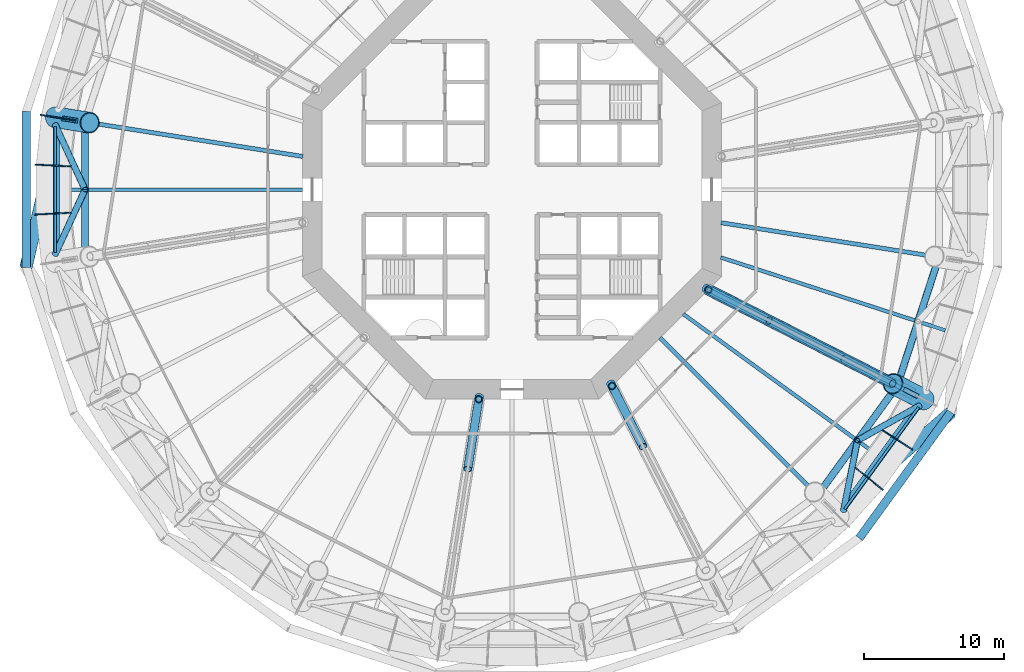
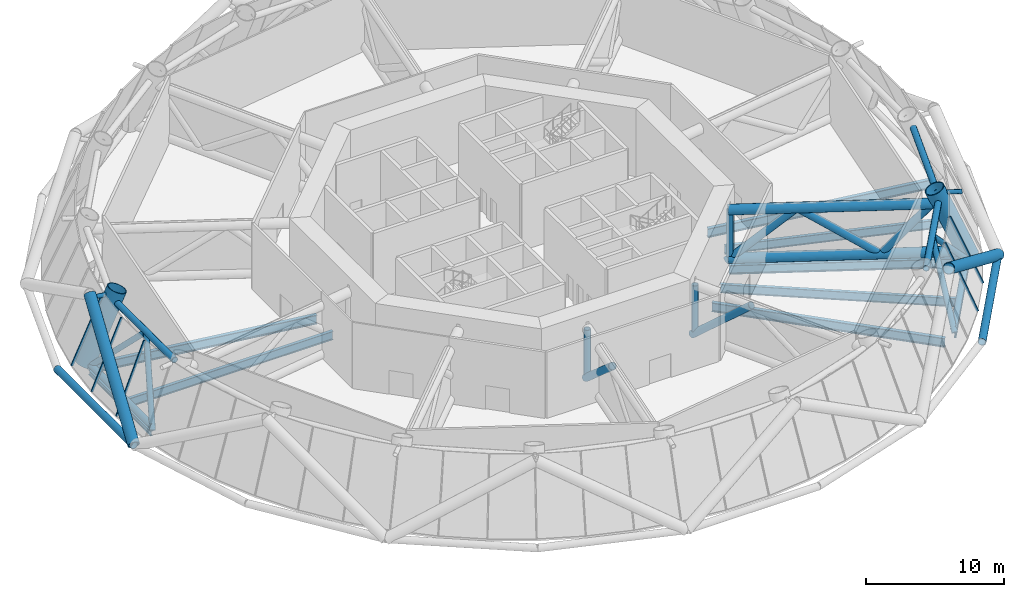
# One storey, part 3 of 14: 32 members, 9 beams, 2 elements without a shape of their own.
"""IFC4 building model written with IfcOpenShell, lengths in metres."""

from ifc_helpers import new_model, si_unit, direction, frame, origin, origin_2d, place, context, subcontext, project, spatial, rectangle, circle, hollow_circle, i_section, extrude, material, layer, layer_set, material_profile, profile_set, type_object, element, aggregate, save


model = new_model("IFC4")

# Units and contexts
model_context = context("Model", 3, precision=1e-05, world=origin(), true_north=direction((0.0, 1.0)))
body_context = subcontext(model_context, "Body", "Model", "MODEL_VIEW")
ifc_project = project(units=[si_unit("LENGTHUNIT", "METRE"), si_unit("AREAUNIT", "SQUARE_METRE"), si_unit("VOLUMEUNIT", "CUBIC_METRE"), si_unit("PLANEANGLEUNIT", "RADIAN"), si_unit("MASSUNIT", "GRAM", prefix="KILO")], contexts=[model_context])

# Site, building, storey
site_placement = place(None, origin())
site = spatial("IfcSite", under=ifc_project, at=site_placement, CompositionType="ELEMENT")
building_placement = place(site_placement, origin())
building = spatial("IfcBuilding", under=site, at=building_placement, Name="Entoto Ring Tower", CompositionType="ELEMENT")
storey_placement = place(building_placement, frame((0.0, 0.0, 74.0)))
storey = spatial("IfcBuildingStorey", under=building, at=storey_placement, Name="L16", CompositionType="ELEMENT", Elevation=74.0)

# Members
ifc_material_1 = material(Name="Steel S355", Category="steel")
ifc_material_profile_1 = material_profile(ifc_material_1, hollow_circle(Radius=0.449951171875, WallThickness=0.044921875, at=origin_2d()), Name="CHS 900 x 45")
ifc_material_2 = material(Name="Concrete C60/75", Category="concrete")
ifc_material_profile_2 = material_profile(ifc_material_2, circle(Radius=0.405029296875, at=origin_2d()), Name="Concrete C60/75 infill")
ifc_profile_set_1 = profile_set([ifc_material_profile_1, ifc_material_profile_2], Name="Steel S355")
member_type_1 = type_object("IfcMemberType", Name="Diagrid diagonal 900 x 45 concrete-filled tube", PredefinedType="BRACE", material=ifc_profile_set_1)
member_1_placement = place(storey_placement, frame((55.2333984375, 74.493408203125, 0.0), z_axis=(0.198381662974, 0.853390289962, 0.482047434175), x_axis=(-0.974028469181, 0.226425575464, 0.0)))
element("IfcMember", 1, at=member_1_placement, inside=storey, type_object=member_type_1, Name="DG2 module 5 11", PredefinedType="BRACE", context=body_context, shape_type="SweptSolid", body=[
    extrude(hollow_circle(Radius=0.449951171875, WallThickness=0.044921875, at=origin_2d()), origin(), (0.0, 0.0, 1.0), 12.447021484375),
])
member_2_placement = place(storey_placement, frame((121.363525390625, 64.01953125, 0.0), z_axis=(-0.662113366564, -0.573788432045, 0.482050542027), x_axis=(0.654902411499, -0.755713458536, 0.0)))
element("IfcMember", 2, at=member_2_placement, inside=storey, type_object=member_type_1, Name="DG2 module 5 19", PredefinedType="BRACE", context=body_context, shape_type="SweptSolid", body=[
    extrude(hollow_circle(Radius=0.449951171875, WallThickness=0.044921875, at=origin_2d()), origin(), (0.0, 0.0, 1.0), 12.44677734375),
])
ifc_material_3 = material(Name="Steel S355", Category="steel")
ifc_material_profile_3 = material_profile(ifc_material_3, hollow_circle(Radius=0.177734375, WallThickness=0.01611328125, at=origin_2d()), Name="CHS 355.6 x 16")
ifc_material_4 = material(Name="Concrete C60/75", Category="concrete")
ifc_material_profile_4 = material_profile(ifc_material_4, circle(Radius=0.161865234375, at=origin_2d()), Name="Concrete C60/75 infill")
ifc_profile_set_2 = profile_set([ifc_material_profile_3, ifc_material_profile_4], Name="Steel S355")
member_type_2 = type_object("IfcMemberType", Name="Diagrid node strut 355.6 x 16", PredefinedType="STRUT", material=ifc_profile_set_2)
for number, where, z_axis, x_axis, name in (
    (3, (58.9208984375, 84.92236328125, 5.672119140625), (-0.98766673662, 0.156570806263, 0.0), (-0.156570806263, -0.98766673662, 0.0), "DS1 strut ring 5 09"),
    (4, (118.036865234375, 65.71435546875, 5.672119140625), (0.891085517707, -0.453835432876, 0.0), (0.453835432876, 0.891085517707, 0.0), "DS1 strut ring 5 18"),
):
    element("IfcMember", number, at=place(storey_placement, frame(where, z_axis=z_axis, x_axis=x_axis)), inside=storey, type_object=member_type_2, Name=name, PredefinedType="STRUT", context=body_context, shape_type="SweptSolid", body=[
        extrude(hollow_circle(Radius=0.177734375, WallThickness=0.01611328125, at=origin_2d()), origin(), (0.0, 0.0, 1.0), 1.133544921875),
    ])
ifc_material_5 = material(Name="Steel S355", Category="steel")
ifc_material_profile_5 = material_profile(ifc_material_5, hollow_circle(Radius=0.300048828125, WallThickness=0.030029296875, at=origin_2d()), Name="CHS 600 x 30")
ifc_material_6 = material(Name="Concrete C60/75", Category="concrete")
ifc_material_profile_6 = material_profile(ifc_material_6, circle(Radius=0.27001953125, at=origin_2d()), Name="Concrete C60/75 infill")
ifc_profile_set_3 = profile_set([ifc_material_profile_5, ifc_material_profile_6], Name="Steel S355")
member_type_3 = type_object("IfcMemberType", Name="Diagrid ring beam 600 x 30", PredefinedType="CHORD", material=ifc_profile_set_3)
for number, where, z_axis, x_axis, name in (
    (5, (55.2333984375, 85.573974609375, 0.0), (0.0, -1.0, 0.0), (1.0, 0.0, 0.0), "DR1 ring 4 10"),
    (6, (114.8505859375, 55.05517578125, 0.0), (0.587771863556, 0.809026721692, 0.0), (-0.809026721692, 0.587771863556, 0.0), "DR1 ring 4 18"),
):
    element("IfcMember", number, at=place(storey_placement, frame(where, z_axis=z_axis, x_axis=x_axis)), inside=storey, type_object=member_type_3, Name=name, PredefinedType="CHORD", context=body_context, shape_type="SweptSolid", body=[
        extrude(hollow_circle(Radius=0.300048828125, WallThickness=0.030029296875, at=origin_2d()), origin(), (0.0, 0.0, 1.0), 11.14794921875),
    ])

# Beams
ifc_material_7 = material(Name="Steel S355", Category="steel")
ifc_material_profile_7 = material_profile(ifc_material_7, i_section(OverallWidth=0.179931640625, OverallDepth=0.39990234375, WebThickness=0.008544921875, FlangeThickness=0.013427734375, FilletRadius=0.02099609375, at=origin_2d()), Name="IPE 400")
ifc_profile_set_4 = profile_set([ifc_material_profile_7], Name="Steel S355")
beam_type_1 = type_object("IfcBeamType", Name="Edge beam IPE 400", PredefinedType="SPANDREL", material=ifc_profile_set_4)
for number, where, z_axis, x_axis, name in (
    (7, (57.3076171875, 84.50390625, -0.35009765625), (0.0, -1.0, 0.0), (1.0, 0.0, 0.0), "Edge beam L16 10"),
    (8, (113.801513671875, 57.14013671875, -0.35009765625), (0.587792917156, 0.80901142547, 0.0), (-0.80901142547, 0.587792917156, 0.0), "Edge beam L16 18"),
):
    element("IfcBeam", number, at=place(storey_placement, frame(where, z_axis=z_axis, x_axis=x_axis)), inside=storey, type_object=beam_type_1, Name=name, PredefinedType="SPANDREL", context=body_context, shape_type="SweptSolid", body=[
        extrude(i_section(OverallWidth=0.179931640625, OverallDepth=0.39990234375, WebThickness=0.008544921875, FlangeThickness=0.013427734375, FilletRadius=0.02099609375, at=origin_2d()), origin(), (0.0, 0.0, 1.0), 9.0078125),
    ])

# Curtain wall, members
ifc_material_8 = material(Name="Anodised aluminium", Category="aluminium")
ifc_layer = layer(ifc_material_8, 0.10009765625)
ifc_layer_set = layer_set([ifc_layer], Name="Anodised aluminium")
curtain_wall_type = type_object("IfcCurtainWallType", Name="Louvre curtain wall system CW7", PredefinedType="NOTDEFINED", material=ifc_layer_set)
curtain_wall_1_placement = place(storey_placement, origin())
curtain_wall_1 = element("IfcCurtainWall", 9, at=curtain_wall_1_placement, inside=storey, type_object=curtain_wall_type, Name="CW7 L16-10", PredefinedType="NOTDEFINED")
ifc_material_9 = material(Name="Anodised aluminium", Category="aluminium")
ifc_material_profile_8 = material_profile(ifc_material_9, rectangle(XDim=0.080078125, YDim=0.199951171875, at=origin_2d()), Name="Mullion 80 x 200 mm anodised aluminium")
ifc_profile_set_5 = profile_set([ifc_material_profile_8], Name="Anodised aluminium")
member_type_4 = type_object("IfcMemberType", Name="Mullion 80 x 200 mm anodised aluminium", PredefinedType="MULLION", material=ifc_profile_set_5)
member_3_placement = place(storey_placement, frame((56.327392578125, 85.333251953125, 0.03857421875), z_axis=(0.379907115901, -0.060155863708, 0.923066549794), x_axis=(0.15639512268, 0.98769457101, 0.0)))
member_3 = element("IfcMember", 10, at=member_3_placement, type_object=member_type_4, Name="MULLION L16-27", PredefinedType="MULLION", context=body_context, shape_type="SweptSolid", body=[
    extrude(rectangle(XDim=0.080078125, YDim=0.199951171875, at=origin_2d()), origin(), (0.0, 0.0, 1.0), 6.254150390625),
])
member_4_placement = place(storey_placement, frame((55.954345703125, 81.7841796875, 0.03857421875), z_axis=(0.384088559131, -0.020104239044, 0.923077352293), x_axis=(0.052271161513, 0.998632928395, 0.0)))
member_4 = element("IfcMember", 11, at=member_4_placement, type_object=member_type_4, Name="MULLION L16-28", PredefinedType="MULLION", context=body_context, shape_type="SweptSolid", body=[
    extrude(rectangle(XDim=0.080078125, YDim=0.199951171875, at=origin_2d()), origin(), (0.0, 0.0, 1.0), 6.25390625),
])
member_5_placement = place(storey_placement, frame((55.954345703125, 78.2158203125, 0.03857421875), z_axis=(0.384088559131, 0.020104239044, 0.923077352293), x_axis=(-0.052271161513, 0.998632928395, 0.0)))
member_5 = element("IfcMember", 12, at=member_5_placement, type_object=member_type_4, Name="MULLION L16-29", PredefinedType="MULLION", context=body_context, shape_type="SweptSolid", body=[
    extrude(rectangle(XDim=0.080078125, YDim=0.199951171875, at=origin_2d()), origin(), (0.0, 0.0, 1.0), 6.25390625),
])
aggregate(curtain_wall_1, [member_3, member_4, member_5])

curtain_wall_2_placement = place(storey_placement, origin())
curtain_wall_2 = element("IfcCurtainWall", 13, at=curtain_wall_2_placement, inside=storey, type_object=curtain_wall_type, Name="CW7 L16-18", PredefinedType="NOTDEFINED")
member_6_placement = place(storey_placement, frame((116.49462890625, 58.544921875, 0.03857421875), z_axis=(-0.298906561936, 0.24206864184, 0.923069683106), x_axis=(-0.629350037127, -0.777121953601, 0.0)))
member_6 = element("IfcMember", 14, at=member_6_placement, type_object=member_type_4, Name="MULLION L16-52", PredefinedType="MULLION", context=body_context, shape_type="SweptSolid", body=[
    extrude(rectangle(XDim=0.080078125, YDim=0.199951171875, at=origin_2d()), origin(), (0.0, 0.0, 1.0), 6.254150390625),
])
member_7_placement = place(storey_placement, frame((118.59228515625, 61.431884765625, 0.03857421875), z_axis=(-0.322563051143, 0.20951178694, 0.923069818145), x_axis=(-0.544706497232, -0.838626753611, 0.0)))
member_7 = element("IfcMember", 15, at=member_7_placement, type_object=member_type_4, Name="MULLION L16-53", PredefinedType="MULLION", context=body_context, shape_type="SweptSolid", body=[
    extrude(rectangle(XDim=0.080078125, YDim=0.199951171875, at=origin_2d()), origin(), (0.0, 0.0, 1.0), 6.254150390625),
])
aggregate(curtain_wall_2, [member_6, member_7])

# Members
ifc_material_10 = material(Name="Steel S355", Category="steel")
ifc_material_profile_9 = material_profile(ifc_material_10, hollow_circle(Radius=0.406494140625, WallThickness=0.044921875, at=origin_2d()), Name="CHS 813 x 45")
ifc_material_11 = material(Name="Concrete C60/75", Category="concrete")
ifc_material_profile_10 = material_profile(ifc_material_11, circle(Radius=0.361572265625, at=origin_2d()), Name="Concrete C60/75 infill")
ifc_profile_set_6 = profile_set([ifc_material_profile_9, ifc_material_profile_10], Name="Steel S355")
member_type_5 = type_object("IfcMemberType", Name="Outrigger chord 813 x 45", PredefinedType="CHORD", material=ifc_profile_set_6)
member_8_placement = place(storey_placement, frame((103.91748046875, 72.90869140625, 0.406494140625), z_axis=(0.891005024921, -0.453993442205, 0.0), x_axis=(0.453993442205, 0.891005024921, 0.0)))
element("IfcMember", 16, at=member_8_placement, inside=storey, type_object=member_type_5, Name="OR1A L16 bottom 10", PredefinedType="CHORD", context=body_context, shape_type="SweptSolid", body=[
    extrude(hollow_circle(Radius=0.406494140625, WallThickness=0.044921875, at=origin_2d()), origin(), (0.0, 0.0, 1.0), 16.64794921875),
])
member_9_placement = place(storey_placement, frame((103.91748046875, 72.90869140625, 4.6904296875), z_axis=(0.891007779718, -0.453988035615, 0.0), x_axis=(0.453988035615, 0.891007779718, 0.0)))
element("IfcMember", 17, at=member_9_placement, inside=storey, type_object=member_type_5, Name="OR1A L16 top 10", PredefinedType="CHORD", context=body_context, shape_type="SweptSolid", body=[
    extrude(hollow_circle(Radius=0.406494140625, WallThickness=0.044921875, at=origin_2d()), origin(), (0.0, 0.0, 1.0), 14.86279296875),
])
ifc_material_12 = material(Name="Steel S355", Category="steel")
ifc_material_profile_11 = material_profile(ifc_material_12, hollow_circle(Radius=0.304931640625, WallThickness=0.035888671875, at=origin_2d()), Name="CHS 610 x 36")
ifc_material_13 = material(Name="Concrete C60/75", Category="concrete")
ifc_material_profile_12 = material_profile(ifc_material_13, circle(Radius=0.26904296875, at=origin_2d()), Name="Concrete C60/75 infill")
ifc_profile_set_7 = profile_set([ifc_material_profile_11, ifc_material_profile_12], Name="Steel S355")
member_type_6 = type_object("IfcMemberType", Name="Outrigger diagonal 610 x 36", PredefinedType="BRACE", material=ifc_profile_set_7)
member_10_placement = place(storey_placement, frame((87.658447265625, 65.21533203125, 0.222412109375), z_axis=(-0.119487031561, -0.754411774533, 0.645434523198), x_axis=(0.987688351746, -0.156434394639, 0.0)))
element("IfcMember", 18, at=member_10_placement, inside=storey, type_object=member_type_6, Name="OR2A L16 08 1", PredefinedType="BRACE", context=body_context, shape_type="SweptSolid", body=[
    extrude(hollow_circle(Radius=0.304931640625, WallThickness=0.035888671875, at=origin_2d()), origin(), (0.0, 0.0, 1.0), 6.922607421875),
])
for number, where, z_axis, x_axis, name in (
    (19, (97.0517578125, 66.159912109375, 0.196533203125), (0.341021799872, -0.669276351795, 0.660131272505), (0.891001965104, 0.453999447335, 0.0), "OR2A L16 09 1"),
    (20, (103.840087890625, 72.9482421875, 0.196533203125), (0.669276351795, -0.341021799872, 0.660131272505), (0.453999447335, 0.891001965104, 0.0), "OR2A L16 10 1"),
):
    element("IfcMember", number, at=place(storey_placement, frame(where, z_axis=z_axis, x_axis=x_axis)), inside=storey, type_object=member_type_6, Name=name, PredefinedType="BRACE", context=body_context, shape_type="SweptSolid", body=[
        extrude(hollow_circle(Radius=0.304931640625, WallThickness=0.035888671875, at=origin_2d()), origin(), (0.0, 0.0, 1.0), 6.8076171875),
    ])
member_11_placement = place(storey_placement, frame((108.396240234375, 70.626708984375, 4.6904296875), z_axis=(0.727753093913, -0.370797977683, -0.576961258704), x_axis=(0.453980056066, 0.891011845429, 0.0)))
element("IfcMember", 21, at=member_11_placement, inside=storey, type_object=member_type_6, Name="OR2A L16 10 2", PredefinedType="BRACE", context=body_context, shape_type="SweptSolid", body=[
    extrude(hollow_circle(Radius=0.304931640625, WallThickness=0.035888671875, at=origin_2d()), origin(), (0.0, 0.0, 1.0), 7.425048828125),
])
member_12_placement = place(storey_placement, frame((113.7998046875, 67.87353515625, 0.406494140625), z_axis=(0.580984805325, -0.296051080814, 0.758162524483), x_axis=(0.454020373057, 0.890991302342, 0.0)))
element("IfcMember", 22, at=member_12_placement, inside=storey, type_object=member_type_6, Name="OR2A L16 10 3", PredefinedType="BRACE", context=body_context, shape_type="SweptSolid", body=[
    extrude(hollow_circle(Radius=0.304931640625, WallThickness=0.035888671875, at=origin_2d()), origin(), (0.0, 0.0, 1.0), 5.92919921875),
])
ifc_material_14 = material(Name="Steel S355", Category="steel")
ifc_material_profile_13 = material_profile(ifc_material_14, hollow_circle(Radius=0.25390625, WallThickness=0.030029296875, at=origin_2d()), Name="CHS 508 x 30")
ifc_material_15 = material(Name="Concrete C60/75", Category="concrete")
ifc_material_profile_14 = material_profile(ifc_material_15, circle(Radius=0.22412109375, at=origin_2d()), Name="Concrete C60/75 infill")
ifc_profile_set_8 = profile_set([ifc_material_profile_13, ifc_material_profile_14], Name="Steel S355")
member_type_7 = type_object("IfcMemberType", Name="Outrigger post 508 x 30", PredefinedType="POST", material=ifc_profile_set_8)
for number, where, z_axis, x_axis, name in (
    (23, (87.624267578125, 65.0, 0.406494140625), (0.0, 0.0, 1.0), (1.0, 0.0, 0.0), "OR3 L16 08"),
    (24, (97.160400390625, 65.947021484375, 0.406494140625), (0.0, 0.0, 1.0), (1.0, 0.0, 0.0), "OR3 L16 09"),
    (25, (104.052978515625, 72.839599609375, 0.406494140625), (0.0, 0.0, 1.0), (1.0, 0.0, 0.0), "OR3 L16 10"),
):
    element("IfcMember", number, at=place(storey_placement, frame(where, z_axis=z_axis, x_axis=x_axis)), inside=storey, type_object=member_type_7, Name=name, PredefinedType="POST", context=body_context, shape_type="SweptSolid", body=[
        extrude(hollow_circle(Radius=0.25390625, WallThickness=0.030029296875, at=origin_2d()), origin(), (0.0, 0.0, 1.0), 4.283935546875),
    ])

# Beams
ifc_material_16 = material(Name="Steel S355", Category="steel")
ifc_material_profile_15 = material_profile(ifc_material_16, i_section(OverallWidth=0.300048828125, OverallDepth=0.800048828125, WebThickness=0.017578125, FlangeThickness=0.032958984375, FilletRadius=0.030029296875, at=origin_2d()), Name="HE 800 B")
ifc_profile_set_9 = profile_set([ifc_material_profile_15], Name="Steel S355")
beam_type_2 = type_object("IfcBeamType", Name="Primary floor beam HE 800 B", PredefinedType="BEAM", material=ifc_profile_set_9)
beam_1_placement = place(storey_placement, frame((75.043212890625, 82.368896484375, -0.550048828125), z_axis=(-0.98768775999, 0.156438130794, 0.0), x_axis=(-0.156438130794, -0.98768775999, 0.0)))
element("IfcBeam", 26, at=beam_1_placement, inside=storey, type_object=beam_type_2, Name="Primary L16 R10", PredefinedType="BEAM", context=body_context, shape_type="SweptSolid", body=[
    extrude(i_section(OverallWidth=0.300048828125, OverallDepth=0.800048828125, WebThickness=0.017578125, FlangeThickness=0.032958984375, FilletRadius=0.030029296875, at=origin_2d()), origin(), (0.0, 0.0, 1.0), 17.293212890625),
])
beam_2_placement = place(storey_placement, frame((100.592529296875, 69.407470703125, -0.550048828125), z_axis=(0.707106781187, -0.707106781187, 0.0), x_axis=(0.707106781187, 0.707106781187, 0.0)))
element("IfcBeam", 27, at=beam_2_placement, inside=storey, type_object=beam_type_2, Name="Primary L16 R18", PredefinedType="BEAM", context=body_context, shape_type="SweptSolid", body=[
    extrude(i_section(OverallWidth=0.300048828125, OverallDepth=0.800048828125, WebThickness=0.017578125, FlangeThickness=0.032958984375, FilletRadius=0.030029296875, at=origin_2d()), origin(), (0.0, 0.0, 1.0), 17.456298828125),
])
beam_3_placement = place(storey_placement, frame((103.99169921875, 72.870849609375, -0.550048828125), z_axis=(0.891007761657, -0.453988071063, 0.0), x_axis=(0.453988071063, 0.891007761657, 0.0)))
element("IfcBeam", 28, at=beam_3_placement, inside=storey, type_object=beam_type_2, Name="Primary L16 R19", PredefinedType="BEAM", context=body_context, shape_type="SweptSolid", body=[
    extrude(i_section(OverallWidth=0.300048828125, OverallDepth=0.800048828125, WebThickness=0.017578125, FlangeThickness=0.032958984375, FilletRadius=0.030029296875, at=origin_2d()), origin(), (0.0, 0.0, 1.0), 16.733154296875),
])
beam_4_placement = place(storey_placement, frame((104.956787109375, 77.631103515625, -0.550048828125), z_axis=(0.98768775999, -0.156438130794, 0.0), x_axis=(0.156438130794, 0.98768775999, 0.0)))
element("IfcBeam", 29, at=beam_4_placement, inside=storey, type_object=beam_type_2, Name="Primary L16 R20", PredefinedType="BEAM", context=body_context, shape_type="SweptSolid", body=[
    extrude(i_section(OverallWidth=0.300048828125, OverallDepth=0.800048828125, WebThickness=0.017578125, FlangeThickness=0.032958984375, FilletRadius=0.030029296875, at=origin_2d()), origin(), (0.0, 0.0, 1.0), 17.293212890625),
])

# Members
ifc_material_17 = material(Name="Steel S355", Category="steel")
ifc_material_profile_16 = material_profile(ifc_material_17, hollow_circle(Radius=0.75, WallThickness=0.06494140625, at=origin_2d()), Name="CHS 1500 x 65")
ifc_material_18 = material(Name="Concrete C60/75", Category="concrete")
ifc_material_profile_17 = material_profile(ifc_material_18, circle(Radius=0.68505859375, at=origin_2d()), Name="Concrete C60/75 infill")
ifc_profile_set_10 = profile_set([ifc_material_profile_16, ifc_material_profile_17], Name="Steel S355")
member_type_8 = type_object("IfcMemberType", Name="Ring column jog 1500 x 65 concrete-filled tube", PredefinedType="STRUT", material=ifc_profile_set_10)
for number, where, z_axis, x_axis, name in (
    (30, (57.3076171875, 85.177978515625, 0.0), (0.37988233017, -0.06017119764, 0.923075751062), (0.156443969736, 0.987686835152, 0.0), "RJ1B R10"),
    (31, (119.492431640625, 64.972900390625, 0.0), (-0.342697597672, 0.174616520339, 0.923074984698), (-0.453997461601, -0.891002976909, 0.0), "RJ1B R19"),
):
    element("IfcMember", number, at=place(storey_placement, frame(where, z_axis=z_axis, x_axis=x_axis)), inside=storey, type_object=member_type_8, Name=name, PredefinedType="STRUT", context=body_context, shape_type="SweptSolid", body=[
        extrude(hollow_circle(Radius=0.75, WallThickness=0.06494140625, at=origin_2d()), origin(), (0.0, 0.0, 1.0), 6.5),
    ])
ifc_material_19 = material(Name="Steel S355", Category="steel")
ifc_material_profile_18 = material_profile(ifc_material_19, hollow_circle(Radius=0.25390625, WallThickness=0.030029296875, at=origin_2d()), Name="CHS 508 x 30")
ifc_material_20 = material(Name="Concrete C60/75", Category="concrete")
ifc_material_profile_19 = material_profile(ifc_material_20, circle(Radius=0.22412109375, at=origin_2d()), Name="Concrete C60/75 infill")
ifc_profile_set_11 = profile_set([ifc_material_profile_18, ifc_material_profile_19], Name="Steel S355")
member_type_9 = type_object("IfcMemberType", Name="Ring truss chord 508 x 30", PredefinedType="CHORD", material=ifc_profile_set_11)
member_13_placement = place(storey_placement, frame((57.412109375, 84.473876953125, 0.25390625), z_axis=(0.0, -1.0, 0.0), x_axis=(1.0, 0.0, 0.0)))
element("IfcMember", 32, at=member_13_placement, inside=storey, type_object=member_type_9, Name="BT1 L16 bottom 10", PredefinedType="CHORD", context=body_context, shape_type="SweptSolid", body=[
    extrude(hollow_circle(Radius=0.25390625, WallThickness=0.030029296875, at=origin_2d()), origin(), (0.0, 0.0, 1.0), 8.94775390625),
])
member_14_placement = place(storey_placement, frame((59.44580078125, 84.151611328125, 5.196044921875), z_axis=(0.0, -1.0, 0.0), x_axis=(1.0, 0.0, 0.0)))
element("IfcMember", 33, at=member_14_placement, inside=storey, type_object=member_type_9, Name="BT1 L16 top 10", PredefinedType="CHORD", context=body_context, shape_type="SweptSolid", body=[
    extrude(hollow_circle(Radius=0.25390625, WallThickness=0.030029296875, at=origin_2d()), origin(), (0.0, 0.0, 1.0), 8.30322265625),
])
member_15_placement = place(storey_placement, frame((113.734619140625, 57.225830078125, 0.25390625), z_axis=(0.58778550311, 0.809016812145, 0.0), x_axis=(-0.809016812145, 0.58778550311, 0.0)))
element("IfcMember", 34, at=member_15_placement, inside=storey, type_object=member_type_9, Name="BT1 L16 bottom 18", PredefinedType="CHORD", context=body_context, shape_type="SweptSolid", body=[
    extrude(hollow_circle(Radius=0.25390625, WallThickness=0.030029296875, at=origin_2d()), origin(), (0.0, 0.0, 1.0), 8.947509765625),
])
member_16_placement = place(storey_placement, frame((112.278564453125, 58.681884765625, 5.196044921875), z_axis=(0.587788761329, 0.809014444899, 0.0), x_axis=(-0.809014444899, 0.587788761329, 0.0)))
element("IfcMember", 35, at=member_16_placement, inside=storey, type_object=member_type_9, Name="BT1 L16 top 18", PredefinedType="CHORD", context=body_context, shape_type="SweptSolid", body=[
    extrude(hollow_circle(Radius=0.25390625, WallThickness=0.030029296875, at=origin_2d()), origin(), (0.0, 0.0, 1.0), 8.303466796875),
])
member_17_placement = place(storey_placement, frame((117.77587890625, 66.60986328125, 5.196044921875), z_axis=(0.309002963044, 0.951061075236, 0.0), x_axis=(-0.951061075236, 0.309002963044, 0.0)))
element("IfcMember", 36, at=member_17_placement, inside=storey, type_object=member_type_9, Name="BT1 L16 top 19", PredefinedType="CHORD", context=body_context, shape_type="SweptSolid", body=[
    extrude(hollow_circle(Radius=0.25390625, WallThickness=0.030029296875, at=origin_2d()), origin(), (0.0, 0.0, 1.0), 8.302978515625),
])
ifc_material_21 = material(Name="Steel S355", Category="steel")
ifc_material_profile_20 = material_profile(ifc_material_21, hollow_circle(Radius=0.228515625, WallThickness=0.02001953125, at=origin_2d()), Name="CHS 457 x 20")
ifc_material_22 = material(Name="Concrete C60/75", Category="concrete")
ifc_material_profile_21 = material_profile(ifc_material_22, circle(Radius=0.20849609375, at=origin_2d()), Name="Concrete C60/75 infill")
ifc_profile_set_12 = profile_set([ifc_material_profile_20, ifc_material_profile_21], Name="Steel S355")
member_type_10 = type_object("IfcMemberType", Name="Ring truss diagonal 457 x 20", PredefinedType="BRACE", material=ifc_profile_set_12)
for number, where, z_axis, x_axis, name in (
    (37, (57.31591796875, 84.6201171875, 0.020263671875), (0.293475327554, -0.636603289619, 0.713167921154), (0.908144697219, 0.418656433024, 0.0), "BT2 L16 10 a"),
    (38, (59.44580078125, 80.0, 5.196044921875), (-0.293475327554, -0.636603289619, -0.713167921154), (0.908144697219, -0.418656433024, 0.0), "BT2 L16 10 b"),
    (39, (113.726318359375, 57.051025390625, 0.020263671875), (0.13674580209, 0.687530308268, 0.713163838696), (-0.980788686524, 0.19507319751, 0.0), "BT2 L16 18 a"),
    (40, (114.71875, 62.040771484375, 5.196044921875), (0.611631235609, 0.342516183091, -0.713154889171), (-0.488606291418, 0.872504379351, 0.0), "BT2 L16 18 b"),
):
    element("IfcMember", number, at=place(storey_placement, frame(where, z_axis=z_axis, x_axis=x_axis)), inside=storey, type_object=member_type_10, Name=name, PredefinedType="BRACE", context=body_context, shape_type="SweptSolid", body=[
        extrude(hollow_circle(Radius=0.228515625, WallThickness=0.02001953125, at=origin_2d()), origin(), (0.0, 0.0, 1.0), 7.257568359375),
    ])

# Beams
ifc_material_23 = material(Name="Steel S355", Category="steel")
ifc_material_profile_22 = material_profile(ifc_material_23, i_section(OverallWidth=0.262939453125, OverallDepth=0.7529296875, WebThickness=0.011474609375, FlangeThickness=0.01708984375, FilletRadius=0.01708984375, at=origin_2d()), Name="IPE 750 x 137")
ifc_profile_set_13 = profile_set([ifc_material_profile_22], Name="Steel S355")
beam_type_3 = type_object("IfcBeamType", Name="Secondary floor beam IPE 750 x 137", PredefinedType="JOIST", material=ifc_profile_set_13)
beam_5_placement = place(storey_placement, frame((75.02001953125, 80.0, -0.526611328125), z_axis=(-1.0, 0.0, 0.0), x_axis=(0.0, -1.0, 0.0)))
element("IfcBeam", 41, at=beam_5_placement, inside=storey, type_object=beam_type_3, Name="Secondary beam L16 10", PredefinedType="JOIST", context=body_context, shape_type="SweptSolid", body=[
    extrude(i_section(OverallWidth=0.262939453125, OverallDepth=0.7529296875, WebThickness=0.011474609375, FlangeThickness=0.01708984375, FilletRadius=0.01708984375, at=origin_2d()), origin(), (0.0, 0.0, 1.0), 17.62255859375),
])
beam_6_placement = place(storey_placement, frame((102.25341796875, 71.097412109375, -0.526611328125), z_axis=(0.809014194973, -0.58778910532, 0.0), x_axis=(0.58778910532, 0.809014194973, 0.0)))
element("IfcBeam", 42, at=beam_6_placement, inside=storey, type_object=beam_type_3, Name="Secondary beam L16 18", PredefinedType="JOIST", context=body_context, shape_type="SweptSolid", body=[
    extrude(i_section(OverallWidth=0.262939453125, OverallDepth=0.7529296875, WebThickness=0.011474609375, FlangeThickness=0.01708984375, FilletRadius=0.01708984375, at=origin_2d()), origin(), (0.0, 0.0, 1.0), 17.45654296875),
])
beam_7_placement = place(storey_placement, frame((104.9404296875, 75.1455078125, -0.526611328125), z_axis=(0.951057855768, -0.30901287187, 0.0), x_axis=(0.30901287187, 0.951057855768, 0.0)))
element("IfcBeam", 43, at=beam_7_placement, inside=storey, type_object=beam_type_3, Name="Secondary beam L16 19", PredefinedType="JOIST", context=body_context, shape_type="SweptSolid", body=[
    extrude(i_section(OverallWidth=0.262939453125, OverallDepth=0.7529296875, WebThickness=0.011474609375, FlangeThickness=0.01708984375, FilletRadius=0.01708984375, at=origin_2d()), origin(), (0.0, 0.0, 1.0), 16.893310546875),
])

save(model, "model.ifc")
